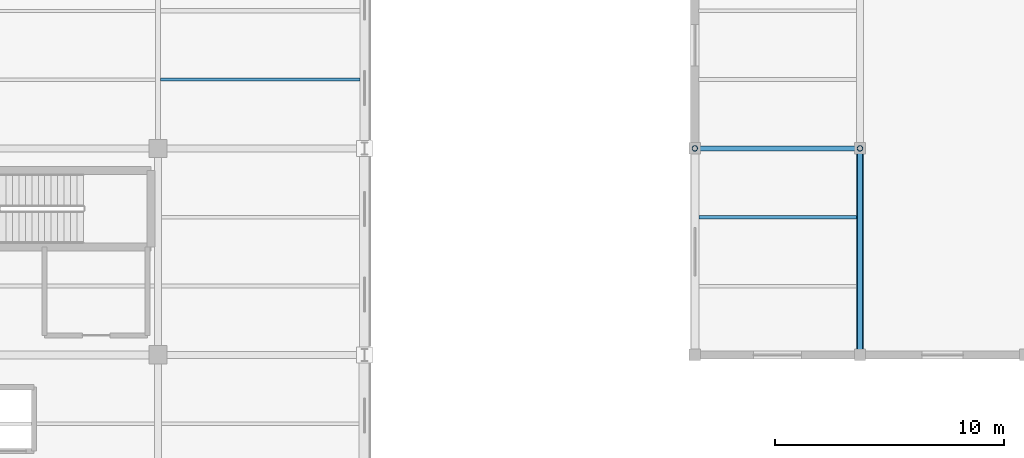
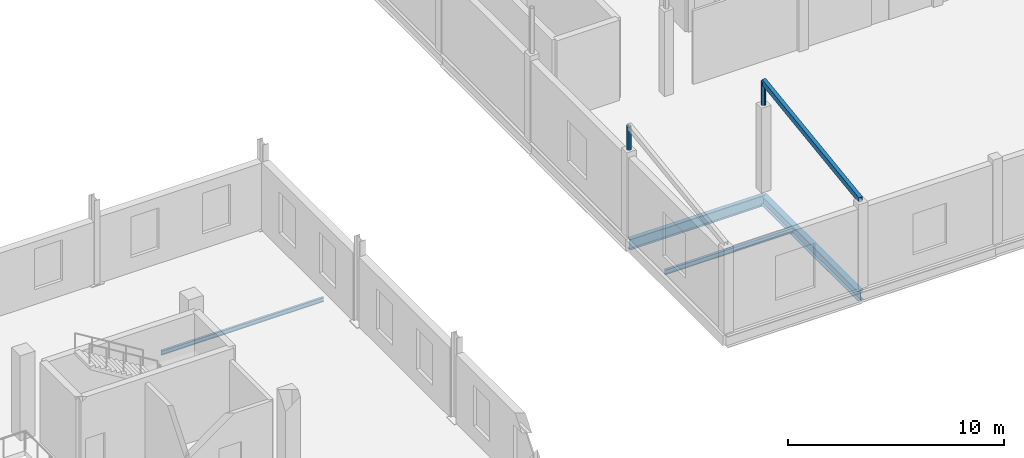
# One storey, part 8 of 35: 4 beams, 3 members.
"""IFC4 building model written with IfcOpenShell, lengths in metres."""

import ifcopenshell
import ifcopenshell.guid

model = None  # the IFC model being written
_history = None  # IfcOwnerHistory: only IFC2X3 demands one
_inside = {}  # id of a spatial element -> (the spatial element, [elements in it])
_under = {}  # id of a project, library or spatial element -> (it, [spatial elements below it])
_declared = {}  # id of a project -> (the project, [libraries it declares])
_typed = {}  # id of a type object -> (the type object, [elements of that type])
_made_of = {}  # id of a material, layer set ... -> (it, [elements and type objects made of it])


def new_model(schema):
    """Start an empty IFC model of exactly this schema.

    Asked for "IFC4X3", IfcOpenShell would pick the latest addendum, in which some entities
    have other attributes; the version numbers below select the first issue.
    IFC2X3 requires an IfcOwnerHistory on every rooted entity: one is made here for all.
    """
    global model, _history
    if schema == "IFC4X3":
        model = ifcopenshell.file(schema_version=(4, 3, 0, 0))
    else:
        model = ifcopenshell.file(schema=schema)
    _inside.clear()
    _under.clear()
    _declared.clear()
    _typed.clear()
    _made_of.clear()
    _history = None
    if model.schema == "IFC2X3":
        org = make("IfcOrganization", Name="unknown")
        user = make(
            "IfcPersonAndOrganization",
            ThePerson=make("IfcPerson", FamilyName="unknown"),
            TheOrganization=org,
        )
        app = make(
            "IfcApplication",
            ApplicationDeveloper=org,
            Version="unknown",
            ApplicationFullName="unknown",
            ApplicationIdentifier="unknown",
        )
        _history = make(
            "IfcOwnerHistory",
            OwningUser=user,
            OwningApplication=app,
            ChangeAction="ADDED",
            CreationDate=0,
        )
    return model


def make(cls, **values):
    """One entity of the class cls with the attributes given. An attribute that is None is left unset."""
    return model.create_entity(
        cls, **{name: value for name, value in values.items() if value is not None}
    )


def rooted(cls, **values):
    """An entity with a GlobalId (a new one), such as an element, a storey or a relation."""
    return make(cls, GlobalId=ifcopenshell.guid.new(), OwnerHistory=_history, **values)


def si_unit(unit_type, name, prefix=None):
    """IfcSIUnit, for example si_unit("LENGTHUNIT", "METRE", prefix="MILLI")."""
    return make("IfcSIUnit", UnitType=unit_type, Prefix=prefix, Name=name)


def assignment(units):
    """IfcUnitAssignment: the units of a project."""
    return None if units is None else make("IfcUnitAssignment", Units=units)


def point(xyz):
    """IfcCartesianPoint."""
    return None if xyz is None else make("IfcCartesianPoint", Coordinates=xyz)


def direction(xyz):
    """IfcDirection."""
    return None if xyz is None else make("IfcDirection", DirectionRatios=xyz)


def frame(location, z_axis=None, x_axis=None):
    """IfcAxis2Placement3D, a coordinate frame: its origin and axes. An axis left out is left unset."""
    return make(
        "IfcAxis2Placement3D",
        Location=point(location),
        Axis=direction(z_axis),
        RefDirection=direction(x_axis),
    )


def frame_2d(location, x_axis=None):
    """IfcAxis2Placement2D, a coordinate frame in the plane: its origin and x axis."""
    return make(
        "IfcAxis2Placement2D", Location=point(location), RefDirection=direction(x_axis)
    )


def origin():
    """The frame at (0, 0, 0) with its axes left unset."""
    return frame((0.0, 0.0, 0.0))


def origin_2d():
    """The frame at (0, 0) in the plane with its x axis left unset."""
    return frame_2d((0.0, 0.0))


def place(relative_to, where):
    """IfcLocalPlacement: puts the frame where relative to a parent placement (None: the world)."""
    return make(
        "IfcLocalPlacement", PlacementRelTo=relative_to, RelativePlacement=where
    )


def context(
    kind, dimensions, precision=None, world=None, true_north=None, identifier=None
):
    """IfcGeometricRepresentationContext, for example the 3D "Model" context."""
    return make(
        "IfcGeometricRepresentationContext",
        ContextIdentifier=identifier,
        ContextType=kind,
        CoordinateSpaceDimension=dimensions,
        Precision=precision,
        WorldCoordinateSystem=world,
        TrueNorth=true_north,
    )


def subcontext(parent, identifier, kind, view, scale=None):
    """IfcGeometricRepresentationSubContext, for example "Body" below "Model"."""
    return make(
        "IfcGeometricRepresentationSubContext",
        ContextIdentifier=identifier,
        ContextType=kind,
        ParentContext=parent,
        TargetScale=scale,
        TargetView=view,
    )


def project(units=None, contexts=None):
    """IfcProject with its units and contexts."""
    return rooted(
        "IfcProject",
        Name="project",
        RepresentationContexts=contexts,
        UnitsInContext=assignment(units),
    )


def spatial(cls, under=None, at=None, **own):
    """A site, building, storey or space (cls), placed at a placement, below another one or the project."""
    s = rooted(cls, ObjectPlacement=at, **own)
    if under is not None:
        _under.setdefault(under.id(), (under, []))[1].append(s)
    return s


def profile(cls, at=None, kind="AREA", **sizes):
    """A parametric profile (cls). Its sizes go by their IFC names, for example OverallWidth=200.0."""
    return make(cls, ProfileType=kind, Position=at, **sizes)


def hollow_rectangle(**sizes):
    """IfcRectangleHollowProfileDef."""
    return profile("IfcRectangleHollowProfileDef", **sizes)


def hollow_circle(**sizes):
    """IfcCircleHollowProfileDef."""
    return profile("IfcCircleHollowProfileDef", **sizes)


def i_section(**sizes):
    """IfcIShapeProfileDef."""
    return profile("IfcIShapeProfileDef", **sizes)


def extrude(swept, where, along, depth):
    """IfcExtrudedAreaSolid: the profile swept, set in the frame where, extruded along a direction by depth."""
    return make(
        "IfcExtrudedAreaSolid",
        SweptArea=swept,
        Position=where,
        ExtrudedDirection=direction(along),
        Depth=depth,
    )


def shape(context_of_items, identifier, shape_type, items):
    """IfcShapeRepresentation: the items that make up one representation, for example the "Body"."""
    return make(
        "IfcShapeRepresentation",
        ContextOfItems=context_of_items,
        RepresentationIdentifier=identifier,
        RepresentationType=shape_type,
        Items=items,
    )


def material(Name=None, Category=None):
    """IfcMaterial."""
    return make("IfcMaterial", Name=Name, Category=Category)


def material_profile(
    of_material, cross_section, Name=None, Category=None, Priority=None
):
    """IfcMaterialProfile: a cross section and its material."""
    return make(
        "IfcMaterialProfile",
        Name=Name,
        Material=of_material,
        Profile=cross_section,
        Priority=Priority,
        Category=Category,
    )


def profile_set(profiles, Name=None, composite=None):
    """IfcMaterialProfileSet."""
    return make(
        "IfcMaterialProfileSet",
        Name=Name,
        MaterialProfiles=profiles,
        CompositeProfile=composite,
    )


def made_of(thing, what):
    """Note that an element or type object is made of a material, layer set ...; save() writes the relation."""
    if what is not None:
        _made_of.setdefault(what.id(), (what, []))[1].append(thing)
    return thing


def type_object(cls, material=None, **own):
    """A type object (cls), such as IfcWallType, which elements share."""
    return made_of(rooted(cls, **own), material)


def element(
    cls,
    number,
    at=None,
    inside=None,
    cuts=None,
    type_object=None,
    material=None,
    context=None,
    identifier="Body",
    shape_type=None,
    held_by="IfcProductDefinitionShape",
    body=None,
    shapes=None,
    **own,
):
    """One element of the class cls, such as IfcWall. Its Tag is "e" and its number.

    at: its placement. inside: the storey or other place that contains it. cuts: it is an
    opening in that element (IfcRelVoidsElement). A single representation is given by context,
    identifier, shape_type and body (its items); several are given by shapes. held_by: the class
    of the entity that holds the representations. save() writes the other relations.
    """
    e = rooted(cls, Tag="e%d" % number, ObjectPlacement=at, **own)
    if body is not None:
        shapes = [shape(context, identifier, shape_type, body)]
    if shapes is not None:
        e.Representation = make(held_by, Representations=shapes)
    if inside is not None:
        _inside.setdefault(inside.id(), (inside, []))[1].append(e)
    if cuts is not None:
        rooted(
            "IfcRelVoidsElement", RelatingBuildingElement=cuts, RelatedOpeningElement=e
        )
    if type_object is not None:
        _typed.setdefault(type_object.id(), (type_object, []))[1].append(e)
    return made_of(e, material)


def aggregate(whole, parts):
    """IfcRelAggregates: a whole, such as a stair, and the parts it consists of."""
    return rooted("IfcRelAggregates", RelatingObject=whole, RelatedObjects=parts)


def save(model, path):
    """Write the relations noted so far, then the file.

    IfcRelAggregates (storeys below a building ...), IfcRelContainedInSpatialStructure (elements
    in a storey), IfcRelDefinesByType, IfcRelAssociatesMaterial and IfcRelDeclares: one each for
    every whole, place, type object, material and project.
    """
    for whole, parts in _under.values():
        aggregate(whole, parts)
    for where, things in _inside.values():
        rooted(
            "IfcRelContainedInSpatialStructure",
            RelatedElements=things,
            RelatingStructure=where,
        )
    for kind, things in _typed.values():
        rooted("IfcRelDefinesByType", RelatedObjects=things, RelatingType=kind)
    for what, things in _made_of.values():
        rooted("IfcRelAssociatesMaterial", RelatedObjects=things, RelatingMaterial=what)
    for by, libraries in _declared.values():
        rooted("IfcRelDeclares", RelatingContext=by, RelatedDefinitions=libraries)
    model.write(path)


model = new_model("IFC4")

# Units and contexts
model_context = context("Model", 3, precision=1e-05, world=origin(), true_north=direction((0.0, 1.0)))
body_context = subcontext(model_context, "Body", "Model", "MODEL_VIEW")
ifc_project = project(units=[si_unit("LENGTHUNIT", "METRE"), si_unit("AREAUNIT", "SQUARE_METRE"), si_unit("VOLUMEUNIT", "CUBIC_METRE"), si_unit("PLANEANGLEUNIT", "RADIAN"), si_unit("MASSUNIT", "GRAM", prefix="KILO")], contexts=[model_context])

# Site, building, storey
site_placement = place(None, origin())
site = spatial("IfcSite", under=ifc_project, at=site_placement, CompositionType="ELEMENT")
building_placement = place(site_placement, origin())
building = spatial("IfcBuilding", under=site, at=building_placement, Name="Sundgate Opera House", CompositionType="ELEMENT")
storey_placement = place(building_placement, frame((0.0, 0.0, 21.60009765625)))
storey = spatial("IfcBuildingStorey", under=building, at=storey_placement, Name="L04", CompositionType="ELEMENT", Elevation=21.60009765625)

# Beams
ifc_material_1 = material(Name="Steel S355J2", Category="steel")
ifc_material_profile_1 = material_profile(ifc_material_1, i_section(OverallWidth=0.300048828125, OverallDepth=0.550048828125, WebThickness=0.014892578125, FlangeThickness=0.029052734375, at=origin_2d()), Name="HEB 550")
ifc_profile_set_1 = profile_set([ifc_material_profile_1], Name="Steel S355J2")
beam_type_1 = type_object("IfcBeamType", Name="BM-GR-HEB550", PredefinedType="BEAM", material=ifc_profile_set_1)
beam_1_placement = place(storey_placement, frame((102.60009765625, 69.0, -0.55517578125), z_axis=(0.0, 1.0, 0.0), x_axis=(-1.0, 0.0, 0.0)))
element("IfcBeam", 1, at=beam_1_placement, inside=storey, type_object=beam_type_1, Name="L04 Primary N-S Girder B2924", PredefinedType="BEAM", context=body_context, shape_type="SweptSolid", body=[
    extrude(i_section(OverallWidth=0.300048828125, OverallDepth=0.550048828125, WebThickness=0.014892578125, FlangeThickness=0.029052734375, at=origin_2d()), origin(), (0.0, 0.0, 1.0), 9.0),
])
ifc_material_2 = material(Name="Steel S355J2", Category="steel")
ifc_material_profile_2 = material_profile(ifc_material_2, i_section(OverallWidth=0.219970703125, OverallDepth=0.60009765625, WebThickness=0.011962890625, FlangeThickness=0.01904296875, at=origin_2d()), Name="IPE 600")
ifc_profile_set_2 = profile_set([ifc_material_profile_2], Name="Steel S355J2")
beam_type_2 = type_object("IfcBeamType", Name="BM-GR-IPE600", PredefinedType="BEAM", material=ifc_profile_set_2)
beam_2_placement = place(storey_placement, frame((95.39990234375, 78.0, -0.580078125), z_axis=(1.0, 0.0, 0.0), x_axis=(0.0, 1.0, 0.0)))
element("IfcBeam", 2, at=beam_2_placement, inside=storey, type_object=beam_type_2, Name="L04 Primary E-W Girder B2979", PredefinedType="BEAM", context=body_context, shape_type="SweptSolid", body=[
    extrude(i_section(OverallWidth=0.219970703125, OverallDepth=0.60009765625, WebThickness=0.011962890625, FlangeThickness=0.01904296875, at=origin_2d()), origin(), (0.0, 0.0, 1.0), 7.2001953125),
])
ifc_material_3 = material(Name="Steel S355J2", Category="steel")
ifc_material_profile_3 = material_profile(ifc_material_3, i_section(OverallWidth=0.1201171875, OverallDepth=0.239990234375, WebThickness=0.006103515625, FlangeThickness=0.009765625, at=origin_2d()), Name="IPE 240")
ifc_profile_set_3 = profile_set([ifc_material_profile_3], Name="Steel S355J2")
beam_type_3 = type_object("IfcBeamType", Name="BM-JS-IPE240", PredefinedType="JOIST", material=ifc_profile_set_3)
beam_3_placement = place(storey_placement, frame((72.110107421875, 81.0, -0.400146484375), z_axis=(1.0, 0.0, 0.0), x_axis=(0.0, 1.0, 0.0)))
element("IfcBeam", 3, at=beam_3_placement, inside=storey, type_object=beam_type_3, Name="L04 Secondary Floor Joist B3053", PredefinedType="JOIST", context=body_context, shape_type="SweptSolid", body=[
    extrude(i_section(OverallWidth=0.1201171875, OverallDepth=0.239990234375, WebThickness=0.006103515625, FlangeThickness=0.009765625, at=origin_2d()), origin(), (0.0, 0.0, 1.0), 8.68994140625),
])
ifc_material_4 = material(Name="Steel S355J2", Category="steel")
ifc_material_profile_4 = material_profile(ifc_material_4, i_section(OverallWidth=0.135009765625, OverallDepth=0.27001953125, WebThickness=0.006591796875, FlangeThickness=0.01025390625, at=origin_2d()), Name="IPE 270")
ifc_profile_set_4 = profile_set([ifc_material_profile_4], Name="Steel S355J2")
beam_type_4 = type_object("IfcBeamType", Name="BM-JS-IPE270", PredefinedType="JOIST", material=ifc_profile_set_4)
beam_4_placement = place(storey_placement, frame((95.574951171875, 75.0, -0.4150390625), z_axis=(1.0, 0.0, 0.0), x_axis=(0.0, 1.0, 0.0)))
element("IfcBeam", 4, at=beam_4_placement, inside=storey, type_object=beam_type_4, Name="L04 Secondary Floor Joist B3038", PredefinedType="JOIST", context=body_context, shape_type="SweptSolid", body=[
    extrude(i_section(OverallWidth=0.135009765625, OverallDepth=0.27001953125, WebThickness=0.006591796875, FlangeThickness=0.01025390625, at=origin_2d()), origin(), (0.0, 0.0, 1.0), 6.875),
])

# Members
ifc_material_5 = material(Name="Steel S355J2", Category="steel")
ifc_material_profile_5 = material_profile(ifc_material_5, hollow_rectangle(XDim=0.199951171875, YDim=0.300048828125, WallThickness=0.012451171875, at=origin_2d()), Name="RHS 300x200x12.5")
ifc_profile_set_5 = profile_set([ifc_material_profile_5], Name="Steel S355J2")
member_type_1 = type_object("IfcMemberType", Name="MB-ARCH-RHS300", PredefinedType="USERDEFINED", material=ifc_profile_set_5)
member_placement = place(storey_placement, frame((102.60009765625, 69.0, 4.849853515625), z_axis=(0.0, 0.990492273178, 0.137568371275), x_axis=(-1.0, 0.0, 0.0)))
element("IfcMember", 5, at=member_placement, inside=storey, type_object=member_type_1, Name="Conservatory Vault Rib M0445", ObjectType="ARCH RIB", PredefinedType="USERDEFINED", context=body_context, shape_type="SweptSolid", body=[
    extrude(hollow_rectangle(XDim=0.199951171875, YDim=0.300048828125, WallThickness=0.012451171875, at=origin_2d()), origin(), (0.0, 0.0, 1.0), 9.08642578125),
])
ifc_material_6 = material(Name="Steel S355J2", Category="steel")
ifc_material_profile_6 = material_profile(ifc_material_6, hollow_circle(Radius=0.122314453125, WallThickness=0.012451171875, at=origin_2d()), Name="CHS 244.5x12.5")
ifc_profile_set_6 = profile_set([ifc_material_profile_6], Name="Steel S355J2")
member_type_2 = type_object("IfcMemberType", Name="MB-STRUT-CHS244", PredefinedType="STRUT", material=ifc_profile_set_6)
for number, where, z_axis, x_axis, name in (
    (6, (95.39990234375, 78.0, 4.789794921875), (0.0, 0.0, 1.0), (1.0, 0.0, 0.0), "L04 Conservatory Crown Post M0435"),
    (7, (102.60009765625, 78.0, 4.789794921875), (0.0, 0.0, 1.0), (1.0, 0.0, 0.0), "L04 Conservatory Crown Post M0442"),
):
    element("IfcMember", number, at=place(storey_placement, frame(where, z_axis=z_axis, x_axis=x_axis)), inside=storey, type_object=member_type_2, Name=name, PredefinedType="STRUT", context=body_context, shape_type="SweptSolid", body=[
        extrude(hollow_circle(Radius=0.122314453125, WallThickness=0.012451171875, at=origin_2d()), origin(), (0.0, 0.0, 1.0), 1.31005859375),
    ])

save(model, "model.ifc")
